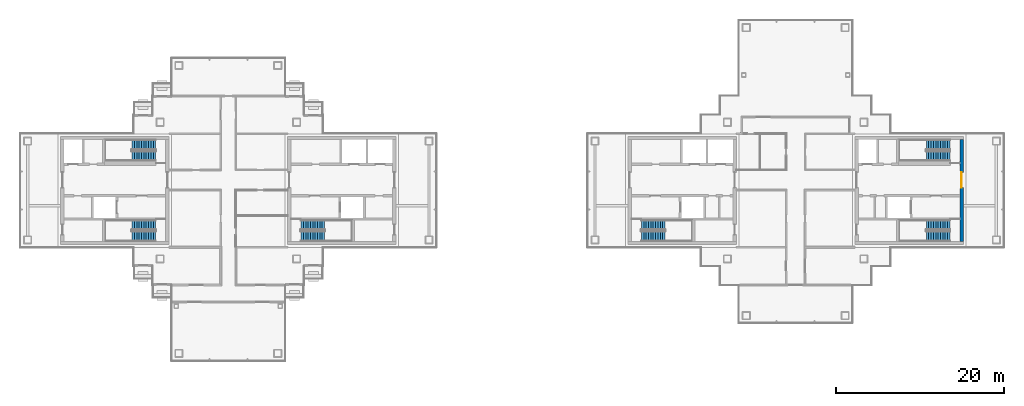
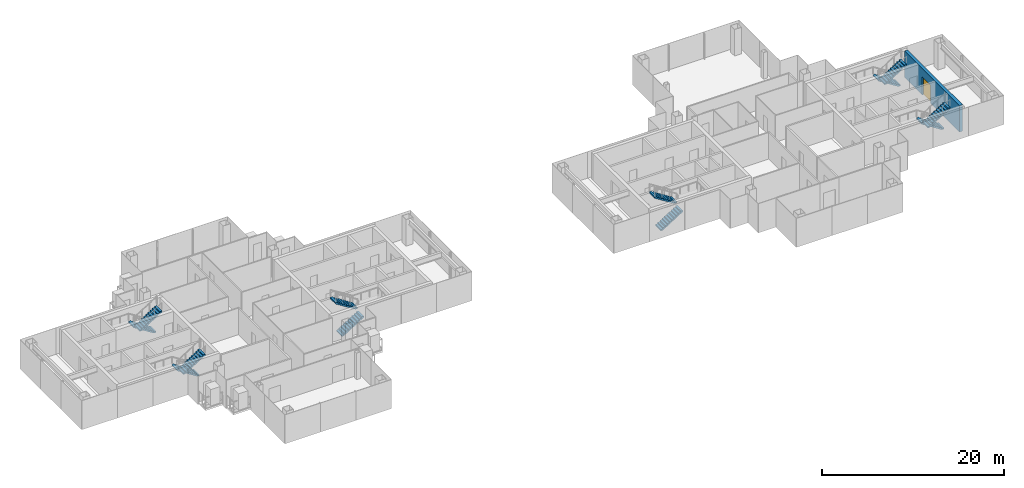
# One storey, part 13 of 16: 12 stair flights, 1 door, 1 wall, 1 opening, 6 elements without a shape of their own.
"""IFC4 building model written with IfcOpenShell, lengths in metres."""

from ifc_helpers import new_model, si_unit, direction, frame, frame_2d, origin, place, context, subcontext, project, spatial, polyline, rectangle, outline, extrude, material, layer, layer_set, type_object, element, fill, aggregate, save


model = new_model("IFC4")

# Units and contexts
model_context = context("Model", 3, precision=1e-05, world=origin(), true_north=direction((0.0, 1.0)))
body_context = subcontext(model_context, "Body", "Model", "MODEL_VIEW")
ifc_project = project(units=[si_unit("LENGTHUNIT", "METRE"), si_unit("AREAUNIT", "SQUARE_METRE"), si_unit("VOLUMEUNIT", "CUBIC_METRE"), si_unit("PLANEANGLEUNIT", "RADIAN"), si_unit("MASSUNIT", "GRAM", prefix="KILO")], contexts=[model_context])

# Site, building, storey
site_placement = place(None, origin())
site = spatial("IfcSite", under=ifc_project, at=site_placement, CompositionType="ELEMENT")
building_placement = place(site_placement, origin())
building = spatial("IfcBuilding", under=site, at=building_placement, Name="Shamsa Quay Exchange Towers", CompositionType="ELEMENT")
storey_placement = place(building_placement, frame((0.0, 0.0, 265.5)))
storey = spatial("IfcBuildingStorey", under=building, at=storey_placement, Name="L64", CompositionType="ELEMENT", Elevation=265.5)

# Wall, opening, door
ifc_material_1 = material(Name="Concrete C60/75", Category="concrete")
ifc_layer = layer(ifc_material_1, 0.39990234375)
ifc_layer_set = layer_set([ifc_layer], Name="CORE WALL 400 C60/75")
wall_type = type_object("IfcWallType", Name="CORE WALL 400 C60/75", PredefinedType="SHEAR", material=ifc_layer_set)
wall_placement = place(storey_placement, frame((53.5, -6.050048828125, 0.0), z_axis=(0.0, 0.0, 1.0), x_axis=(0.0, 1.0, 0.0)))
wall = element("IfcWall", 1, at=wall_placement, inside=storey, type_object=wall_type, Name="Core wall T2B-R29-PF", PredefinedType="SHEAR", context=body_context, shape_type="SweptSolid", body=[
    extrude(rectangle(XDim=12.10009765625, YDim=0.39990234375, at=frame_2d((6.050048828125, 0.0))), origin(), (0.0, 0.0, 1.0), 3.550048828125),
])
opening_placement = place(wall_placement, frame((6.39990234375, 0.0, 0.0)))
opening = element("IfcOpeningElement", 2, at=opening_placement, cuts=wall, Name="Opening T2B-R29-LBD01", PredefinedType="OPENING", context=body_context, shape_type="SweptSolid", body=[
    extrude(rectangle(XDim=1.800048828125, YDim=2.39990234375, at=frame_2d((0.89990234375, 1.199951171875))), frame((0.0, 0.2099609375, 0.0), z_axis=(0.0, -1.0, 0.0), x_axis=(1.0, 0.0, 0.0)), (0.0, 0.0, 1.0), 0.419921875),
])
ifc_material_2 = material(Name="Steel, fire rated", Category="steel")
door_type = type_object("IfcDoorType", Name="LIFT LOBBY DOOR PAIR 1800", OperationType="DOUBLE_DOOR_SINGLE_SWING", PredefinedType="DOOR", material=ifc_material_2)
door_placement = place(opening_placement, origin())
door = element("IfcDoor", 3, at=door_placement, inside=storey, type_object=door_type, Name="T2B-R29-LBD01", OperationType="DOUBLE_DOOR_SINGLE_SWING", OverallHeight=2.39990234375, OverallWidth=1.800048828125, PredefinedType="DOOR", context=body_context, shape_type="SweptSolid", body=[
    extrude(rectangle(XDim=1.800048828125, YDim=2.39990234375, at=frame_2d((0.89990234375, 1.199951171875))), frame((0.0, 0.02490234375, 0.0), z_axis=(0.0, -1.0, 0.0), x_axis=(1.0, 0.0, 0.0)), (0.0, 0.0, 1.0), 0.050048828125),
])
fill(opening, door)

# Stair, stair flights
ifc_material_3 = material(Name="Concrete C40/50", Category="concrete")
stair_type = type_object("IfcStairType", Name="EXIT STAIR 22 RISERS 177 MM", PredefinedType="HALF_TURN_STAIR", material=ifc_material_3)
stair_1_placement = place(storey_placement, origin())
stair_1 = element("IfcStair", 4, at=stair_1_placement, inside=storey, type_object=stair_type, Name="L64 Exit stair ST1", PredefinedType="HALF_TURN_STAIR")
stair_flight_type = type_object("IfcStairFlightType", Name="EXIT STAIR FLIGHT 11 RISERS 177 MM", PredefinedType="STRAIGHT", material=ifc_material_3)
stair_flight_1_placement = place(storey_placement, frame((-25.10009765625, -5.449951171875, 0.0)))
stair_flight_1 = element("IfcStairFlight", 5, at=stair_flight_1_placement, type_object=stair_flight_type, Name="ST1 flight 1", NumberOfRisers=11, NumberOfTreads=10, PredefinedType="STRAIGHT", RiserHeight=0.177272727, TreadLength=0.28, context=body_context, shape_type="SweptSolid", body=[
    extrude(outline(polyline([(0.0, 0.0), (0.0, 0.17724609375), (0.280029296875, 0.17724609375), (0.280029296875, 0.3544921875), (0.56005859375, 0.3544921875), (0.56005859375, 0.53173828125), (0.840087890625, 0.53173828125), (0.840087890625, 0.708984375), (1.1201171875, 0.708984375), (1.1201171875, 0.886474609375), (1.39990234375, 0.886474609375), (1.39990234375, 1.063720703125), (1.679931640625, 1.063720703125), (1.679931640625, 1.240966796875), (1.9599609375, 1.240966796875), (1.9599609375, 1.418212890625), (2.239990234375, 1.418212890625), (2.239990234375, 1.595458984375), (2.52001953125, 1.595458984375), (2.52001953125, 1.772705078125), (2.800048828125, 1.772705078125), (2.800048828125, 1.949951171875), (2.800048828125, 1.607177734375), (0.261474609375, 0.0), (0.0, 0.0)])), frame((0.0, 0.60009765625, 0.0), z_axis=(0.0, -1.0, 0.0), x_axis=(1.0, 0.0, 0.0)), (0.0, 0.0, 1.0), 1.199951171875),
])
stair_flight_2_placement = place(storey_placement, frame((-22.300048828125, -4.10009765625, 1.949951171875), z_axis=(0.0, 0.0, 1.0), x_axis=(-1.0, 0.0, 0.0)))
stair_flight_2 = element("IfcStairFlight", 6, at=stair_flight_2_placement, type_object=stair_flight_type, Name="ST1 flight 2", NumberOfRisers=11, NumberOfTreads=10, PredefinedType="STRAIGHT", RiserHeight=0.177272727, TreadLength=0.28, context=body_context, shape_type="SweptSolid", body=[
    extrude(outline(polyline([(0.0, 0.0), (0.0, 0.17724609375), (0.280029296875, 0.17724609375), (0.280029296875, 0.3544921875), (0.56005859375, 0.3544921875), (0.56005859375, 0.53173828125), (0.840087890625, 0.53173828125), (0.840087890625, 0.708984375), (1.1201171875, 0.708984375), (1.1201171875, 0.886474609375), (1.39990234375, 0.886474609375), (1.39990234375, 1.063720703125), (1.679931640625, 1.063720703125), (1.679931640625, 1.240966796875), (1.9599609375, 1.240966796875), (1.9599609375, 1.418212890625), (2.239990234375, 1.418212890625), (2.239990234375, 1.595458984375), (2.52001953125, 1.595458984375), (2.52001953125, 1.772705078125), (2.800048828125, 1.772705078125), (2.800048828125, 1.949951171875), (2.800048828125, 1.607177734375), (0.261474609375, 0.0), (0.0, 0.0)])), frame((0.0, 0.60009765625, 0.0), z_axis=(0.0, -1.0, 0.0), x_axis=(1.0, 0.0, 0.0)), (0.0, 0.0, 1.0), 1.199951171875),
])
aggregate(stair_1, [stair_flight_1, stair_flight_2])

stair_2_placement = place(storey_placement, origin())
stair_2 = element("IfcStair", 7, at=stair_2_placement, inside=storey, type_object=stair_type, Name="L64 Exit stair ST2", PredefinedType="HALF_TURN_STAIR")
stair_flight_3_placement = place(storey_placement, frame((-42.39990234375, -4.10009765625, 0.0), z_axis=(0.0, 0.0, 1.0), x_axis=(-1.0, 0.0, 0.0)))
stair_flight_3 = element("IfcStairFlight", 8, at=stair_flight_3_placement, type_object=stair_flight_type, Name="ST2 flight 1", NumberOfRisers=11, NumberOfTreads=10, PredefinedType="STRAIGHT", RiserHeight=0.177272727, TreadLength=0.28, context=body_context, shape_type="SweptSolid", body=[
    extrude(outline(polyline([(0.0, 0.0), (0.0, 0.17724609375), (0.280029296875, 0.17724609375), (0.280029296875, 0.3544921875), (0.56005859375, 0.3544921875), (0.56005859375, 0.53173828125), (0.840087890625, 0.53173828125), (0.840087890625, 0.708984375), (1.1201171875, 0.708984375), (1.1201171875, 0.886474609375), (1.39990234375, 0.886474609375), (1.39990234375, 1.063720703125), (1.679931640625, 1.063720703125), (1.679931640625, 1.240966796875), (1.9599609375, 1.240966796875), (1.9599609375, 1.418212890625), (2.239990234375, 1.418212890625), (2.239990234375, 1.595458984375), (2.52001953125, 1.595458984375), (2.52001953125, 1.772705078125), (2.800048828125, 1.772705078125), (2.800048828125, 1.949951171875), (2.800048828125, 1.607177734375), (0.261474609375, 0.0), (0.0, 0.0)])), frame((0.0, 0.60009765625, 0.0), z_axis=(0.0, -1.0, 0.0), x_axis=(1.0, 0.0, 0.0)), (0.0, 0.0, 1.0), 1.199951171875),
])
stair_flight_4_placement = place(storey_placement, frame((-45.199951171875, -5.449951171875, 1.949951171875)))
stair_flight_4 = element("IfcStairFlight", 9, at=stair_flight_4_placement, type_object=stair_flight_type, Name="ST2 flight 2", NumberOfRisers=11, NumberOfTreads=10, PredefinedType="STRAIGHT", RiserHeight=0.177272727, TreadLength=0.28, context=body_context, shape_type="SweptSolid", body=[
    extrude(outline(polyline([(0.0, 0.0), (0.0, 0.17724609375), (0.280029296875, 0.17724609375), (0.280029296875, 0.3544921875), (0.56005859375, 0.3544921875), (0.56005859375, 0.53173828125), (0.840087890625, 0.53173828125), (0.840087890625, 0.708984375), (1.1201171875, 0.708984375), (1.1201171875, 0.886474609375), (1.39990234375, 0.886474609375), (1.39990234375, 1.063720703125), (1.679931640625, 1.063720703125), (1.679931640625, 1.240966796875), (1.9599609375, 1.240966796875), (1.9599609375, 1.418212890625), (2.239990234375, 1.418212890625), (2.239990234375, 1.595458984375), (2.52001953125, 1.595458984375), (2.52001953125, 1.772705078125), (2.800048828125, 1.772705078125), (2.800048828125, 1.949951171875), (2.800048828125, 1.607177734375), (0.261474609375, 0.0), (0.0, 0.0)])), frame((0.0, 0.60009765625, 0.0), z_axis=(0.0, -1.0, 0.0), x_axis=(1.0, 0.0, 0.0)), (0.0, 0.0, 1.0), 1.199951171875),
])
aggregate(stair_2, [stair_flight_3, stair_flight_4])

stair_3_placement = place(storey_placement, origin())
stair_3 = element("IfcStair", 10, at=stair_3_placement, inside=storey, type_object=stair_type, Name="L64 Exit stair ST3", PredefinedType="HALF_TURN_STAIR")
stair_flight_5_placement = place(storey_placement, frame((-42.39990234375, 5.449951171875, 0.0), z_axis=(0.0, 0.0, 1.0), x_axis=(-1.0, 0.0, 0.0)))
stair_flight_5 = element("IfcStairFlight", 11, at=stair_flight_5_placement, type_object=stair_flight_type, Name="ST3 flight 1", NumberOfRisers=11, NumberOfTreads=10, PredefinedType="STRAIGHT", RiserHeight=0.177272727, TreadLength=0.28, context=body_context, shape_type="SweptSolid", body=[
    extrude(outline(polyline([(0.0, 0.0), (0.0, 0.17724609375), (0.280029296875, 0.17724609375), (0.280029296875, 0.3544921875), (0.56005859375, 0.3544921875), (0.56005859375, 0.53173828125), (0.840087890625, 0.53173828125), (0.840087890625, 0.708984375), (1.1201171875, 0.708984375), (1.1201171875, 0.886474609375), (1.39990234375, 0.886474609375), (1.39990234375, 1.063720703125), (1.679931640625, 1.063720703125), (1.679931640625, 1.240966796875), (1.9599609375, 1.240966796875), (1.9599609375, 1.418212890625), (2.239990234375, 1.418212890625), (2.239990234375, 1.595458984375), (2.52001953125, 1.595458984375), (2.52001953125, 1.772705078125), (2.800048828125, 1.772705078125), (2.800048828125, 1.949951171875), (2.800048828125, 1.607177734375), (0.261474609375, 0.0), (0.0, 0.0)])), frame((0.0, 0.60009765625, 0.0), z_axis=(0.0, -1.0, 0.0), x_axis=(1.0, 0.0, 0.0)), (0.0, 0.0, 1.0), 1.199951171875),
])
stair_flight_6_placement = place(storey_placement, frame((-45.199951171875, 4.10009765625, 1.949951171875)))
stair_flight_6 = element("IfcStairFlight", 12, at=stair_flight_6_placement, type_object=stair_flight_type, Name="ST3 flight 2", NumberOfRisers=11, NumberOfTreads=10, PredefinedType="STRAIGHT", RiserHeight=0.177272727, TreadLength=0.28, context=body_context, shape_type="SweptSolid", body=[
    extrude(outline(polyline([(0.0, 0.0), (0.0, 0.17724609375), (0.280029296875, 0.17724609375), (0.280029296875, 0.3544921875), (0.56005859375, 0.3544921875), (0.56005859375, 0.53173828125), (0.840087890625, 0.53173828125), (0.840087890625, 0.708984375), (1.1201171875, 0.708984375), (1.1201171875, 0.886474609375), (1.39990234375, 0.886474609375), (1.39990234375, 1.063720703125), (1.679931640625, 1.063720703125), (1.679931640625, 1.240966796875), (1.9599609375, 1.240966796875), (1.9599609375, 1.418212890625), (2.239990234375, 1.418212890625), (2.239990234375, 1.595458984375), (2.52001953125, 1.595458984375), (2.52001953125, 1.772705078125), (2.800048828125, 1.772705078125), (2.800048828125, 1.949951171875), (2.800048828125, 1.607177734375), (0.261474609375, 0.0), (0.0, 0.0)])), frame((0.0, 0.60009765625, 0.0), z_axis=(0.0, -1.0, 0.0), x_axis=(1.0, 0.0, 0.0)), (0.0, 0.0, 1.0), 1.199951171875),
])
aggregate(stair_3, [stair_flight_5, stair_flight_6])

stair_4_placement = place(storey_placement, origin())
stair_4 = element("IfcStair", 13, at=stair_4_placement, inside=storey, type_object=stair_type, Name="L64 Exit stair ST4", PredefinedType="HALF_TURN_STAIR")
stair_flight_7_placement = place(storey_placement, frame((15.39990234375, -5.449951171875, 0.0)))
stair_flight_7 = element("IfcStairFlight", 14, at=stair_flight_7_placement, type_object=stair_flight_type, Name="ST4 flight 1", NumberOfRisers=11, NumberOfTreads=10, PredefinedType="STRAIGHT", RiserHeight=0.177272727, TreadLength=0.28, context=body_context, shape_type="SweptSolid", body=[
    extrude(outline(polyline([(0.0, 0.0), (0.0, 0.17724609375), (0.280029296875, 0.17724609375), (0.280029296875, 0.3544921875), (0.56005859375, 0.3544921875), (0.56005859375, 0.53173828125), (0.840087890625, 0.53173828125), (0.840087890625, 0.708984375), (1.1201171875, 0.708984375), (1.1201171875, 0.886474609375), (1.39990234375, 0.886474609375), (1.39990234375, 1.063720703125), (1.679931640625, 1.063720703125), (1.679931640625, 1.240966796875), (1.9599609375, 1.240966796875), (1.9599609375, 1.418212890625), (2.239990234375, 1.418212890625), (2.239990234375, 1.595458984375), (2.52001953125, 1.595458984375), (2.52001953125, 1.772705078125), (2.800048828125, 1.772705078125), (2.800048828125, 1.949951171875), (2.800048828125, 1.607177734375), (0.261474609375, 0.0), (0.0, 0.0)])), frame((0.0, 0.60009765625, 0.0), z_axis=(0.0, -1.0, 0.0), x_axis=(1.0, 0.0, 0.0)), (0.0, 0.0, 1.0), 1.199951171875),
])
stair_flight_8_placement = place(storey_placement, frame((18.199951171875, -4.10009765625, 1.949951171875), z_axis=(0.0, 0.0, 1.0), x_axis=(-1.0, 0.0, 0.0)))
stair_flight_8 = element("IfcStairFlight", 15, at=stair_flight_8_placement, type_object=stair_flight_type, Name="ST4 flight 2", NumberOfRisers=11, NumberOfTreads=10, PredefinedType="STRAIGHT", RiserHeight=0.177272727, TreadLength=0.28, context=body_context, shape_type="SweptSolid", body=[
    extrude(outline(polyline([(0.0, 0.0), (0.0, 0.17724609375), (0.280029296875, 0.17724609375), (0.280029296875, 0.3544921875), (0.56005859375, 0.3544921875), (0.56005859375, 0.53173828125), (0.840087890625, 0.53173828125), (0.840087890625, 0.708984375), (1.1201171875, 0.708984375), (1.1201171875, 0.886474609375), (1.39990234375, 0.886474609375), (1.39990234375, 1.063720703125), (1.679931640625, 1.063720703125), (1.679931640625, 1.240966796875), (1.9599609375, 1.240966796875), (1.9599609375, 1.418212890625), (2.239990234375, 1.418212890625), (2.239990234375, 1.595458984375), (2.52001953125, 1.595458984375), (2.52001953125, 1.772705078125), (2.800048828125, 1.772705078125), (2.800048828125, 1.949951171875), (2.800048828125, 1.607177734375), (0.261474609375, 0.0), (0.0, 0.0)])), frame((0.0, 0.60009765625, 0.0), z_axis=(0.0, -1.0, 0.0), x_axis=(1.0, 0.0, 0.0)), (0.0, 0.0, 1.0), 1.199951171875),
])
aggregate(stair_4, [stair_flight_7, stair_flight_8])

stair_5_placement = place(storey_placement, origin())
stair_5 = element("IfcStair", 16, at=stair_5_placement, inside=storey, type_object=stair_type, Name="L64 Exit stair ST5", PredefinedType="HALF_TURN_STAIR")
stair_flight_9_placement = place(storey_placement, frame((52.10009765625, -4.10009765625, 0.0), z_axis=(0.0, 0.0, 1.0), x_axis=(-1.0, 0.0, 0.0)))
stair_flight_9 = element("IfcStairFlight", 17, at=stair_flight_9_placement, type_object=stair_flight_type, Name="ST5 flight 1", NumberOfRisers=11, NumberOfTreads=10, PredefinedType="STRAIGHT", RiserHeight=0.177272727, TreadLength=0.28, context=body_context, shape_type="SweptSolid", body=[
    extrude(outline(polyline([(0.0, 0.0), (0.0, 0.17724609375), (0.280029296875, 0.17724609375), (0.280029296875, 0.3544921875), (0.56005859375, 0.3544921875), (0.56005859375, 0.53173828125), (0.840087890625, 0.53173828125), (0.840087890625, 0.708984375), (1.1201171875, 0.708984375), (1.1201171875, 0.886474609375), (1.39990234375, 0.886474609375), (1.39990234375, 1.063720703125), (1.679931640625, 1.063720703125), (1.679931640625, 1.240966796875), (1.9599609375, 1.240966796875), (1.9599609375, 1.418212890625), (2.239990234375, 1.418212890625), (2.239990234375, 1.595458984375), (2.52001953125, 1.595458984375), (2.52001953125, 1.772705078125), (2.800048828125, 1.772705078125), (2.800048828125, 1.949951171875), (2.800048828125, 1.607177734375), (0.261474609375, 0.0), (0.0, 0.0)])), frame((0.0, 0.60009765625, 0.0), z_axis=(0.0, -1.0, 0.0), x_axis=(1.0, 0.0, 0.0)), (0.0, 0.0, 1.0), 1.199951171875),
])
stair_flight_10_placement = place(storey_placement, frame((49.300048828125, -5.449951171875, 1.949951171875)))
stair_flight_10 = element("IfcStairFlight", 18, at=stair_flight_10_placement, type_object=stair_flight_type, Name="ST5 flight 2", NumberOfRisers=11, NumberOfTreads=10, PredefinedType="STRAIGHT", RiserHeight=0.177272727, TreadLength=0.28, context=body_context, shape_type="SweptSolid", body=[
    extrude(outline(polyline([(0.0, 0.0), (0.0, 0.17724609375), (0.280029296875, 0.17724609375), (0.280029296875, 0.3544921875), (0.56005859375, 0.3544921875), (0.56005859375, 0.53173828125), (0.840087890625, 0.53173828125), (0.840087890625, 0.708984375), (1.1201171875, 0.708984375), (1.1201171875, 0.886474609375), (1.39990234375, 0.886474609375), (1.39990234375, 1.063720703125), (1.679931640625, 1.063720703125), (1.679931640625, 1.240966796875), (1.9599609375, 1.240966796875), (1.9599609375, 1.418212890625), (2.239990234375, 1.418212890625), (2.239990234375, 1.595458984375), (2.52001953125, 1.595458984375), (2.52001953125, 1.772705078125), (2.800048828125, 1.772705078125), (2.800048828125, 1.949951171875), (2.800048828125, 1.607177734375), (0.261474609375, 0.0), (0.0, 0.0)])), frame((0.0, 0.60009765625, 0.0), z_axis=(0.0, -1.0, 0.0), x_axis=(1.0, 0.0, 0.0)), (0.0, 0.0, 1.0), 1.199951171875),
])
aggregate(stair_5, [stair_flight_9, stair_flight_10])

stair_6_placement = place(storey_placement, origin())
stair_6 = element("IfcStair", 19, at=stair_6_placement, inside=storey, type_object=stair_type, Name="L64 Exit stair ST6", PredefinedType="HALF_TURN_STAIR")
stair_flight_11_placement = place(storey_placement, frame((52.10009765625, 5.449951171875, 0.0), z_axis=(0.0, 0.0, 1.0), x_axis=(-1.0, 0.0, 0.0)))
stair_flight_11 = element("IfcStairFlight", 20, at=stair_flight_11_placement, type_object=stair_flight_type, Name="ST6 flight 1", NumberOfRisers=11, NumberOfTreads=10, PredefinedType="STRAIGHT", RiserHeight=0.177272727, TreadLength=0.28, context=body_context, shape_type="SweptSolid", body=[
    extrude(outline(polyline([(0.0, 0.0), (0.0, 0.17724609375), (0.280029296875, 0.17724609375), (0.280029296875, 0.3544921875), (0.56005859375, 0.3544921875), (0.56005859375, 0.53173828125), (0.840087890625, 0.53173828125), (0.840087890625, 0.708984375), (1.1201171875, 0.708984375), (1.1201171875, 0.886474609375), (1.39990234375, 0.886474609375), (1.39990234375, 1.063720703125), (1.679931640625, 1.063720703125), (1.679931640625, 1.240966796875), (1.9599609375, 1.240966796875), (1.9599609375, 1.418212890625), (2.239990234375, 1.418212890625), (2.239990234375, 1.595458984375), (2.52001953125, 1.595458984375), (2.52001953125, 1.772705078125), (2.800048828125, 1.772705078125), (2.800048828125, 1.949951171875), (2.800048828125, 1.607177734375), (0.261474609375, 0.0), (0.0, 0.0)])), frame((0.0, 0.60009765625, 0.0), z_axis=(0.0, -1.0, 0.0), x_axis=(1.0, 0.0, 0.0)), (0.0, 0.0, 1.0), 1.199951171875),
])
stair_flight_12_placement = place(storey_placement, frame((49.300048828125, 4.10009765625, 1.949951171875)))
stair_flight_12 = element("IfcStairFlight", 21, at=stair_flight_12_placement, type_object=stair_flight_type, Name="ST6 flight 2", NumberOfRisers=11, NumberOfTreads=10, PredefinedType="STRAIGHT", RiserHeight=0.177272727, TreadLength=0.28, context=body_context, shape_type="SweptSolid", body=[
    extrude(outline(polyline([(0.0, 0.0), (0.0, 0.17724609375), (0.280029296875, 0.17724609375), (0.280029296875, 0.3544921875), (0.56005859375, 0.3544921875), (0.56005859375, 0.53173828125), (0.840087890625, 0.53173828125), (0.840087890625, 0.708984375), (1.1201171875, 0.708984375), (1.1201171875, 0.886474609375), (1.39990234375, 0.886474609375), (1.39990234375, 1.063720703125), (1.679931640625, 1.063720703125), (1.679931640625, 1.240966796875), (1.9599609375, 1.240966796875), (1.9599609375, 1.418212890625), (2.239990234375, 1.418212890625), (2.239990234375, 1.595458984375), (2.52001953125, 1.595458984375), (2.52001953125, 1.772705078125), (2.800048828125, 1.772705078125), (2.800048828125, 1.949951171875), (2.800048828125, 1.607177734375), (0.261474609375, 0.0), (0.0, 0.0)])), frame((0.0, 0.60009765625, 0.0), z_axis=(0.0, -1.0, 0.0), x_axis=(1.0, 0.0, 0.0)), (0.0, 0.0, 1.0), 1.199951171875),
])
aggregate(stair_6, [stair_flight_11, stair_flight_12])

save(model, "model.ifc")
